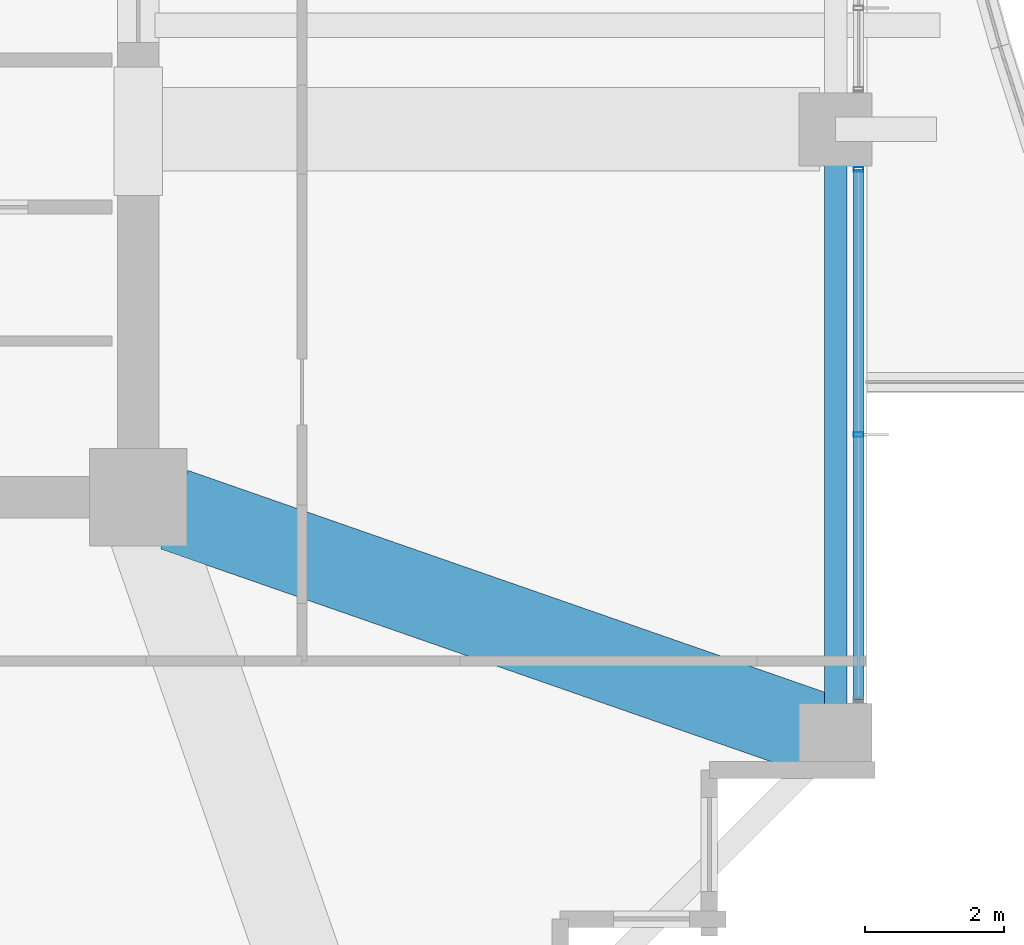
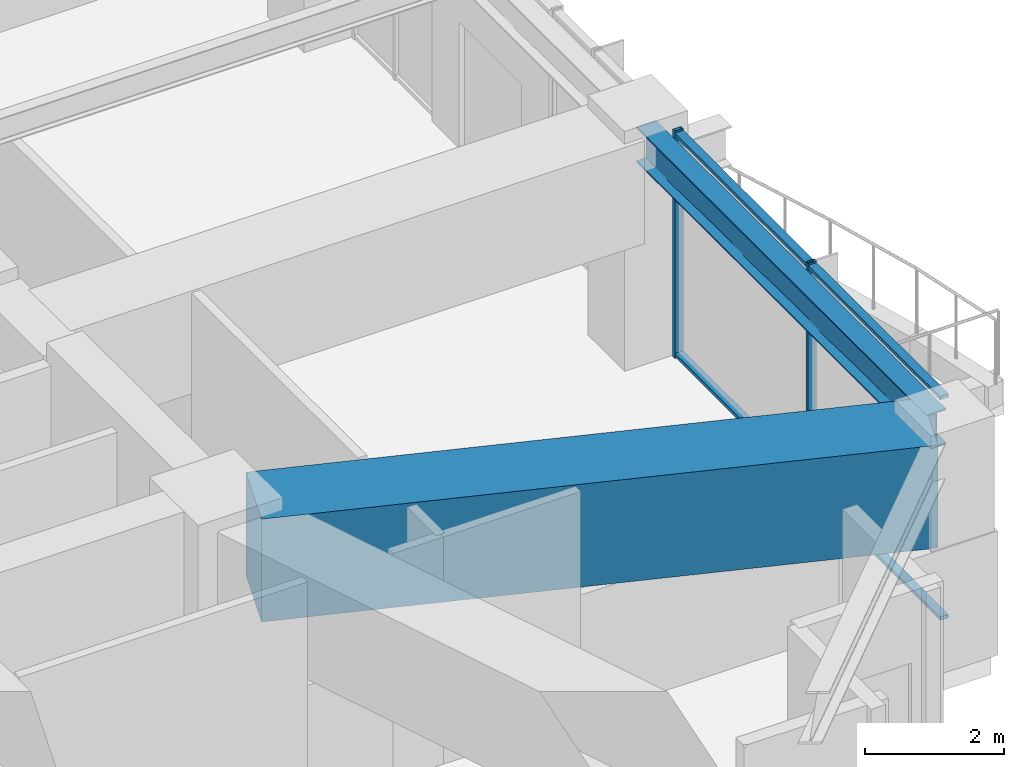
# One storey, part 15 of 40: 4 members, 2 beams, 1 element without a shape of its own.
"""IFC4 building model written with IfcOpenShell, lengths in metres."""

from ifc_helpers import new_model, si_unit, direction, frame, origin, origin_2d, place, context, subcontext, project, spatial, rectangle, hollow_rectangle, i_section, extrude, material, material_profile, profile_set, type_object, element, aggregate, save


model = new_model("IFC4")

# Units and contexts
model_context = context("Model", 3, precision=1e-05, world=origin(), true_north=direction((0.0, 1.0)))
body_context = subcontext(model_context, "Body", "Model", "MODEL_VIEW")
ifc_project = project(units=[si_unit("LENGTHUNIT", "METRE"), si_unit("AREAUNIT", "SQUARE_METRE"), si_unit("VOLUMEUNIT", "CUBIC_METRE"), si_unit("PLANEANGLEUNIT", "RADIAN"), si_unit("MASSUNIT", "GRAM", prefix="KILO")], contexts=[model_context])

# Site, building, storey
site_placement = place(None, origin())
site = spatial("IfcSite", under=ifc_project, at=site_placement, CompositionType="ELEMENT")
building_placement = place(site_placement, origin())
building = spatial("IfcBuilding", under=site, at=building_placement, Name="Kolvaren Belvedere", CompositionType="ELEMENT")
storey_placement = place(building_placement, frame((0.0, 0.0, 68.0)))
storey = spatial("IfcBuildingStorey", under=building, at=storey_placement, Name="L19", CompositionType="ELEMENT", Elevation=68.0)

# Beams
ifc_material_1 = material(Name="Structural steel ASTM A992 Grade 50", Category="steel")
ifc_material_profile_1 = material_profile(ifc_material_1, i_section(OverallWidth=0.324951171875, OverallDepth=0.615966796875, WebThickness=0.013916015625, FlangeThickness=0.021484375, FilletRadius=0.02001953125, at=origin_2d()), Name="W24X117")
ifc_profile_set_1 = profile_set([ifc_material_profile_1], Name="Structural steel ASTM A992 Grade 50")
beam_type_1 = type_object("IfcBeamType", Name="BM-SPAN-W24X117", PredefinedType="SPANDREL", material=ifc_profile_set_1)
beam_1_placement = place(storey_placement, frame((19.949951171875, -13.163818359375, 3.672119140625), z_axis=(0.0, 1.0, 0.0), x_axis=(-1.0, 0.0, 0.0)))
element("IfcBeam", 1, at=beam_1_placement, inside=storey, type_object=beam_type_1, Name="L19 Perimeter Spandrel E1-E2", PredefinedType="SPANDREL", context=body_context, shape_type="SweptSolid", body=[
    extrude(i_section(OverallWidth=0.324951171875, OverallDepth=0.615966796875, WebThickness=0.013916015625, FlangeThickness=0.021484375, FilletRadius=0.02001953125, at=origin_2d()), origin(), (0.0, 0.0, 1.0), 8.32763671875),
])
ifc_material_2 = material(Name="Concrete C50/60", Category="concrete")
ifc_material_profile_2 = material_profile(ifc_material_2, rectangle(XDim=1.199951171875, YDim=1.800048828125, at=origin_2d()), Name="RC 1200X1800")
ifc_profile_set_2 = profile_set([ifc_material_profile_2], Name="Concrete C50/60")
beam_type_2 = type_object("IfcBeamType", Name="BM-TG-1800", PredefinedType="BEAM", material=ifc_profile_set_2)
beam_2_placement = place(storey_placement, frame((10.41943359375, -10.080810546875, 3.080078125), z_axis=(0.944371408538, -0.328880894453, 0.0), x_axis=(0.328880894453, 0.944371408538, 0.0)))
element("IfcBeam", 2, at=beam_2_placement, inside=storey, type_object=beam_type_2, Name="L19 Corner Core-to-Perimeter Girder CC2-E1", PredefinedType="BEAM", context=body_context, shape_type="SweptSolid", body=[
    extrude(rectangle(XDim=1.199951171875, YDim=1.800048828125, at=origin_2d()), origin(), (0.0, 0.0, 1.0), 9.882080078125),
])

# Curtain wall, members
ifc_material_3 = material(Name="Anodised pale-metal aluminium AA 6063-T6", Category="aluminium")
curtain_wall_type = type_object("IfcCurtainWallType", Name="CW-Z2-MID", PredefinedType="NOTDEFINED", material=ifc_material_3)
curtain_wall_placement = place(storey_placement, origin())
curtain_wall = element("IfcCurtainWall", 3, at=curtain_wall_placement, inside=storey, type_object=curtain_wall_type, Name="L19 Unitised Curtain Wall FCW-L19-E2-B2", PredefinedType="NOTDEFINED")
ifc_material_4 = material(Name="Anodised pale-metal aluminium AA 6063-T6", Category="aluminium")
ifc_material_profile_3 = material_profile(ifc_material_4, hollow_rectangle(XDim=0.06494140625, YDim=0.139892578125, WallThickness=0.00390625, at=origin_2d()), Name="ALU-MUL-140X65")
ifc_profile_set_3 = profile_set([ifc_material_profile_3], Name="Anodised pale-metal aluminium AA 6063-T6")
member_type_1 = type_object("IfcMemberType", Name="CW-MUL-140", PredefinedType="MULLION", material=ifc_profile_set_3)
member_1_placement = place(storey_placement, frame((20.280029296875, -5.177490234375, 0.0), z_axis=(0.0, 0.0, 1.0), x_axis=(0.0, 1.0, 0.0)))
member_1 = element("IfcMember", 4, at=member_1_placement, type_object=member_type_1, Name="FCW-L19-E2-B2 Unitised Mullion 1", PredefinedType="MULLION", context=body_context, shape_type="SweptSolid", body=[
    extrude(hollow_rectangle(XDim=0.06494140625, YDim=0.139892578125, WallThickness=0.00390625, at=origin_2d()), origin(), (0.0, 0.0, 1.0), 3.97998046875),
])
member_2_placement = place(storey_placement, frame((20.280029296875, -9.0, 0.0), z_axis=(0.0, 0.0, 1.0), x_axis=(0.0, 1.0, 0.0)))
member_2 = element("IfcMember", 5, at=member_2_placement, type_object=member_type_1, Name="FCW-L19-E2-B2 Unitised Mullion 2", PredefinedType="MULLION", context=body_context, shape_type="SweptSolid", body=[
    extrude(hollow_rectangle(XDim=0.06494140625, YDim=0.139892578125, WallThickness=0.00390625, at=origin_2d()), origin(), (0.0, 0.0, 1.0), 3.97998046875),
])
ifc_material_5 = material(Name="Anodised pale-metal aluminium AA 6063-T6", Category="aluminium")
ifc_material_profile_4 = material_profile(ifc_material_5, hollow_rectangle(XDim=0.06005859375, YDim=0.139892578125, WallThickness=0.00390625, at=origin_2d()), Name="ALU-TRN-140X60")
ifc_profile_set_4 = profile_set([ifc_material_profile_4], Name="Anodised pale-metal aluminium AA 6063-T6")
member_type_2 = type_object("IfcMemberType", Name="CW-TRN-140", PredefinedType="USERDEFINED", material=ifc_profile_set_4)
member_3_placement = place(storey_placement, frame((20.280029296875, -5.177490234375, 0.06005859375), z_axis=(0.0, -1.0, 0.0), x_axis=(0.0, 0.0, 1.0)))
member_3 = element("IfcMember", 6, at=member_3_placement, type_object=member_type_2, Name="FCW-L19-E2-B2 Sill Transom", ObjectType="TRANSOM", PredefinedType="USERDEFINED", context=body_context, shape_type="SweptSolid", body=[
    extrude(hollow_rectangle(XDim=0.06005859375, YDim=0.139892578125, WallThickness=0.00390625, at=origin_2d()), origin(), (0.0, 0.0, 1.0), 7.64501953125),
])
member_4_placement = place(storey_placement, frame((20.280029296875, -5.177490234375, 3.919921875), z_axis=(0.0, -1.0, 0.0), x_axis=(0.0, 0.0, 1.0)))
member_4 = element("IfcMember", 7, at=member_4_placement, type_object=member_type_2, Name="FCW-L19-E2-B2 Head Transom", ObjectType="TRANSOM", PredefinedType="USERDEFINED", context=body_context, shape_type="SweptSolid", body=[
    extrude(hollow_rectangle(XDim=0.06005859375, YDim=0.139892578125, WallThickness=0.00390625, at=origin_2d()), origin(), (0.0, 0.0, 1.0), 7.64501953125),
])
aggregate(curtain_wall, [member_1, member_2, member_3, member_4])

save(model, "model.ifc")
